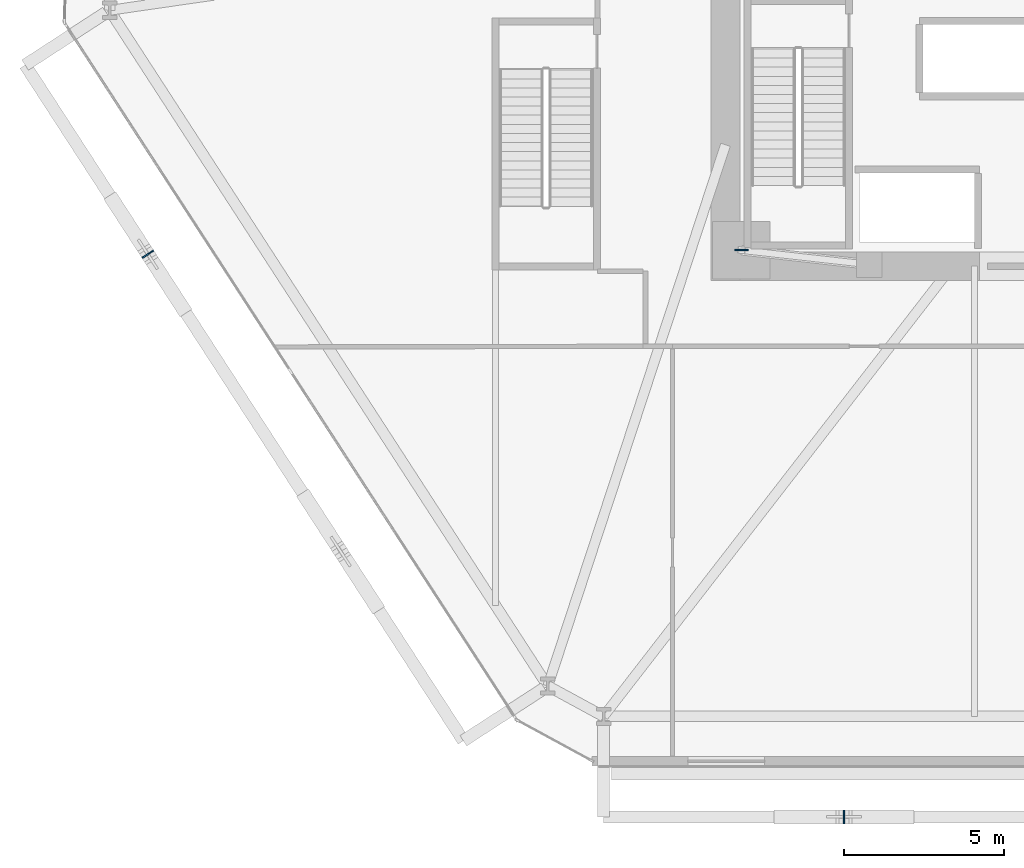
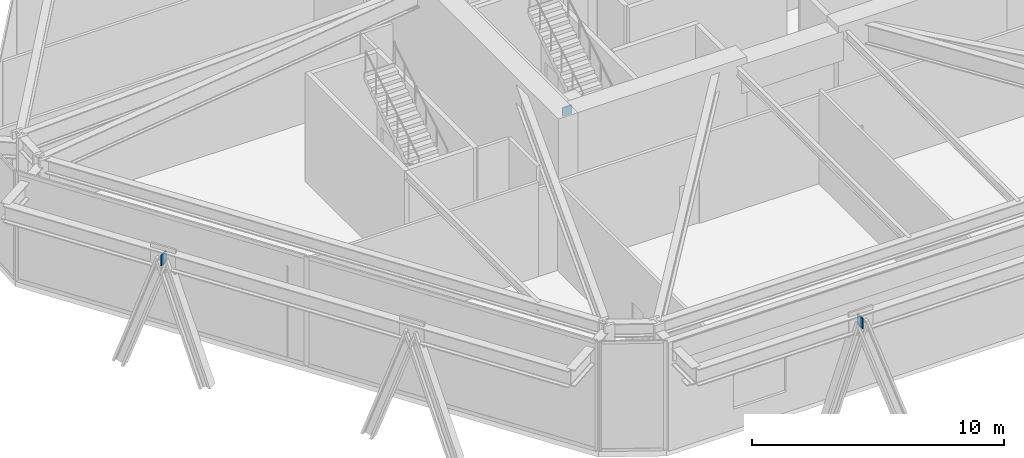
# One storey, part 13 of 23: 3 plates.
"""IFC4 building model written with IfcOpenShell, lengths in metres."""

import ifcopenshell
import ifcopenshell.guid

model = None  # the IFC model being written
_history = None  # IfcOwnerHistory: only IFC2X3 demands one
_inside = {}  # id of a spatial element -> (the spatial element, [elements in it])
_under = {}  # id of a project, library or spatial element -> (it, [spatial elements below it])
_declared = {}  # id of a project -> (the project, [libraries it declares])
_typed = {}  # id of a type object -> (the type object, [elements of that type])
_made_of = {}  # id of a material, layer set ... -> (it, [elements and type objects made of it])


def new_model(schema):
    """Start an empty IFC model of exactly this schema.

    Asked for "IFC4X3", IfcOpenShell would pick the latest addendum, in which some entities
    have other attributes; the version numbers below select the first issue.
    IFC2X3 requires an IfcOwnerHistory on every rooted entity: one is made here for all.
    """
    global model, _history
    if schema == "IFC4X3":
        model = ifcopenshell.file(schema_version=(4, 3, 0, 0))
    else:
        model = ifcopenshell.file(schema=schema)
    _inside.clear()
    _under.clear()
    _declared.clear()
    _typed.clear()
    _made_of.clear()
    _history = None
    if model.schema == "IFC2X3":
        org = make("IfcOrganization", Name="unknown")
        user = make(
            "IfcPersonAndOrganization",
            ThePerson=make("IfcPerson", FamilyName="unknown"),
            TheOrganization=org,
        )
        app = make(
            "IfcApplication",
            ApplicationDeveloper=org,
            Version="unknown",
            ApplicationFullName="unknown",
            ApplicationIdentifier="unknown",
        )
        _history = make(
            "IfcOwnerHistory",
            OwningUser=user,
            OwningApplication=app,
            ChangeAction="ADDED",
            CreationDate=0,
        )
    return model


def make(cls, **values):
    """One entity of the class cls with the attributes given. An attribute that is None is left unset."""
    return model.create_entity(
        cls, **{name: value for name, value in values.items() if value is not None}
    )


def rooted(cls, **values):
    """An entity with a GlobalId (a new one), such as an element, a storey or a relation."""
    return make(cls, GlobalId=ifcopenshell.guid.new(), OwnerHistory=_history, **values)


def si_unit(unit_type, name, prefix=None):
    """IfcSIUnit, for example si_unit("LENGTHUNIT", "METRE", prefix="MILLI")."""
    return make("IfcSIUnit", UnitType=unit_type, Prefix=prefix, Name=name)


def assignment(units):
    """IfcUnitAssignment: the units of a project."""
    return None if units is None else make("IfcUnitAssignment", Units=units)


def point(xyz):
    """IfcCartesianPoint."""
    return None if xyz is None else make("IfcCartesianPoint", Coordinates=xyz)


def direction(xyz):
    """IfcDirection."""
    return None if xyz is None else make("IfcDirection", DirectionRatios=xyz)


def frame(location, z_axis=None, x_axis=None):
    """IfcAxis2Placement3D, a coordinate frame: its origin and axes. An axis left out is left unset."""
    return make(
        "IfcAxis2Placement3D",
        Location=point(location),
        Axis=direction(z_axis),
        RefDirection=direction(x_axis),
    )


def frame_2d(location, x_axis=None):
    """IfcAxis2Placement2D, a coordinate frame in the plane: its origin and x axis."""
    return make(
        "IfcAxis2Placement2D", Location=point(location), RefDirection=direction(x_axis)
    )


def origin():
    """The frame at (0, 0, 0) with its axes left unset."""
    return frame((0.0, 0.0, 0.0))


def origin_2d():
    """The frame at (0, 0) in the plane with its x axis left unset."""
    return frame_2d((0.0, 0.0))


def place(relative_to, where):
    """IfcLocalPlacement: puts the frame where relative to a parent placement (None: the world)."""
    return make(
        "IfcLocalPlacement", PlacementRelTo=relative_to, RelativePlacement=where
    )


def context(
    kind, dimensions, precision=None, world=None, true_north=None, identifier=None
):
    """IfcGeometricRepresentationContext, for example the 3D "Model" context."""
    return make(
        "IfcGeometricRepresentationContext",
        ContextIdentifier=identifier,
        ContextType=kind,
        CoordinateSpaceDimension=dimensions,
        Precision=precision,
        WorldCoordinateSystem=world,
        TrueNorth=true_north,
    )


def subcontext(parent, identifier, kind, view, scale=None):
    """IfcGeometricRepresentationSubContext, for example "Body" below "Model"."""
    return make(
        "IfcGeometricRepresentationSubContext",
        ContextIdentifier=identifier,
        ContextType=kind,
        ParentContext=parent,
        TargetScale=scale,
        TargetView=view,
    )


def project(units=None, contexts=None):
    """IfcProject with its units and contexts."""
    return rooted(
        "IfcProject",
        Name="project",
        RepresentationContexts=contexts,
        UnitsInContext=assignment(units),
    )


def spatial(cls, under=None, at=None, **own):
    """A site, building, storey or space (cls), placed at a placement, below another one or the project."""
    s = rooted(cls, ObjectPlacement=at, **own)
    if under is not None:
        _under.setdefault(under.id(), (under, []))[1].append(s)
    return s


def profile(cls, at=None, kind="AREA", **sizes):
    """A parametric profile (cls). Its sizes go by their IFC names, for example OverallWidth=200.0."""
    return make(cls, ProfileType=kind, Position=at, **sizes)


def rectangle(**sizes):
    """IfcRectangleProfileDef."""
    return profile("IfcRectangleProfileDef", **sizes)


def extrude(swept, where, along, depth):
    """IfcExtrudedAreaSolid: the profile swept, set in the frame where, extruded along a direction by depth."""
    return make(
        "IfcExtrudedAreaSolid",
        SweptArea=swept,
        Position=where,
        ExtrudedDirection=direction(along),
        Depth=depth,
    )


def shape(context_of_items, identifier, shape_type, items):
    """IfcShapeRepresentation: the items that make up one representation, for example the "Body"."""
    return make(
        "IfcShapeRepresentation",
        ContextOfItems=context_of_items,
        RepresentationIdentifier=identifier,
        RepresentationType=shape_type,
        Items=items,
    )


def source(mapping_origin, context_of_items, identifier, shape_type, items):
    """IfcRepresentationMap: a shape defined once, which mapped items show again and again."""
    return make(
        "IfcRepresentationMap",
        MappingOrigin=mapping_origin,
        MappedRepresentation=shape(context_of_items, identifier, shape_type, items),
    )


def transform(
    local_origin,
    x_axis=None,
    y_axis=None,
    z_axis=None,
    scale=None,
    scale2=None,
    scale3=None,
    uniform=True,
):
    """IfcCartesianTransformationOperator3D, or its non-uniform kind. x_axis, y_axis, z_axis: its Axis1, 2, 3."""
    if uniform:
        return make(
            "IfcCartesianTransformationOperator3D",
            Axis1=direction(x_axis),
            Axis2=direction(y_axis),
            LocalOrigin=point(local_origin),
            Scale=scale,
            Axis3=direction(z_axis),
        )
    return make(
        "IfcCartesianTransformationOperator3DnonUniform",
        Axis1=direction(x_axis),
        Axis2=direction(y_axis),
        LocalOrigin=point(local_origin),
        Scale=scale,
        Axis3=direction(z_axis),
        Scale2=scale2,
        Scale3=scale3,
    )


def mapped(mapping_source, mapping_target):
    """IfcMappedItem: shows the shape of a source again, moved by a transform."""
    return make(
        "IfcMappedItem", MappingSource=mapping_source, MappingTarget=mapping_target
    )


def material(Name=None, Category=None):
    """IfcMaterial."""
    return make("IfcMaterial", Name=Name, Category=Category)


def layer(
    of_material, thickness, ventilated=None, Name=None, Category=None, Priority=None
):
    """IfcMaterialLayer: one layer of a wall or slab, of a material (None: an air gap)."""
    return make(
        "IfcMaterialLayer",
        Material=of_material,
        LayerThickness=thickness,
        IsVentilated=ventilated,
        Name=Name,
        Category=Category,
        Priority=Priority,
    )


def layer_set(layers, Name=None):
    """IfcMaterialLayerSet."""
    return make("IfcMaterialLayerSet", MaterialLayers=layers, LayerSetName=Name)


def made_of(thing, what):
    """Note that an element or type object is made of a material, layer set ...; save() writes the relation."""
    if what is not None:
        _made_of.setdefault(what.id(), (what, []))[1].append(thing)
    return thing


def type_object(cls, material=None, **own):
    """A type object (cls), such as IfcWallType, which elements share."""
    return made_of(rooted(cls, **own), material)


def type_shapes(of_type, sources):
    """Give a type object the sources (RepresentationMaps) that its elements show as mapped items."""
    of_type.RepresentationMaps = sources


def element(
    cls,
    number,
    at=None,
    inside=None,
    cuts=None,
    type_object=None,
    material=None,
    context=None,
    identifier="Body",
    shape_type=None,
    held_by="IfcProductDefinitionShape",
    body=None,
    shapes=None,
    **own,
):
    """One element of the class cls, such as IfcWall. Its Tag is "e" and its number.

    at: its placement. inside: the storey or other place that contains it. cuts: it is an
    opening in that element (IfcRelVoidsElement). A single representation is given by context,
    identifier, shape_type and body (its items); several are given by shapes. held_by: the class
    of the entity that holds the representations. save() writes the other relations.
    """
    e = rooted(cls, Tag="e%d" % number, ObjectPlacement=at, **own)
    if body is not None:
        shapes = [shape(context, identifier, shape_type, body)]
    if shapes is not None:
        e.Representation = make(held_by, Representations=shapes)
    if inside is not None:
        _inside.setdefault(inside.id(), (inside, []))[1].append(e)
    if cuts is not None:
        rooted(
            "IfcRelVoidsElement", RelatingBuildingElement=cuts, RelatedOpeningElement=e
        )
    if type_object is not None:
        _typed.setdefault(type_object.id(), (type_object, []))[1].append(e)
    return made_of(e, material)


def aggregate(whole, parts):
    """IfcRelAggregates: a whole, such as a stair, and the parts it consists of."""
    return rooted("IfcRelAggregates", RelatingObject=whole, RelatedObjects=parts)


def save(model, path):
    """Write the relations noted so far, then the file.

    IfcRelAggregates (storeys below a building ...), IfcRelContainedInSpatialStructure (elements
    in a storey), IfcRelDefinesByType, IfcRelAssociatesMaterial and IfcRelDeclares: one each for
    every whole, place, type object, material and project.
    """
    for whole, parts in _under.values():
        aggregate(whole, parts)
    for where, things in _inside.values():
        rooted(
            "IfcRelContainedInSpatialStructure",
            RelatedElements=things,
            RelatingStructure=where,
        )
    for kind, things in _typed.values():
        rooted("IfcRelDefinesByType", RelatedObjects=things, RelatingType=kind)
    for what, things in _made_of.values():
        rooted("IfcRelAssociatesMaterial", RelatedObjects=things, RelatingMaterial=what)
    for by, libraries in _declared.values():
        rooted("IfcRelDeclares", RelatingContext=by, RelatedDefinitions=libraries)
    model.write(path)


model = new_model("IFC4")

# Units and contexts
model_context = context("Model", 3, precision=1e-05, world=origin(), true_north=direction((0.0, 1.0)))
body_context = subcontext(model_context, "Body", "Model", "MODEL_VIEW")
ifc_project = project(units=[si_unit("LENGTHUNIT", "METRE"), si_unit("AREAUNIT", "SQUARE_METRE"), si_unit("VOLUMEUNIT", "CUBIC_METRE"), si_unit("PLANEANGLEUNIT", "RADIAN"), si_unit("MASSUNIT", "GRAM", prefix="KILO")], contexts=[model_context])

# Site, building, storey
site_placement = place(None, origin())
site = spatial("IfcSite", under=ifc_project, at=site_placement, CompositionType="ELEMENT")
building_placement = place(site_placement, origin())
building = spatial("IfcBuilding", under=site, at=building_placement, Name="Durnholm Broadcast Tower", CompositionType="ELEMENT")
storey_placement = place(building_placement, frame((0.0, 0.0, 21.199951171875)))
storey = spatial("IfcBuildingStorey", under=building, at=storey_placement, Name="L04", CompositionType="ELEMENT", Elevation=21.199951171875)

# Plates
ifc_material = material(Name="Steel ASTM A572 Grade 50", Category="steel")
ifc_layer = layer(ifc_material, 0.044921875)
ifc_layer_set = layer_set([ifc_layer], Name="Steel ASTM A572 Grade 50")
plate_type = type_object("IfcPlateType", Name="PLT-KN-STIF", PredefinedType="SHEET", material=ifc_layer_set)
shared_shape_1 = source(origin(), body_context, "Body", "SweptSolid", [
    extrude(rectangle(XDim=0.419921875, YDim=0.050048828125, at=origin_2d()), origin(), (0.0, 0.0, 1.0), 0.419921875),
])
plate_placement = place(storey_placement, frame((-9.800048828125, -7.800048828125, 4.901123046875), z_axis=(0.0, 0.0, 1.0), x_axis=(1.0, 0.0, 0.0)))
element("IfcPlate", 1, at=plate_placement, inside=storey, type_object=plate_type, Name="L04 gallery stringer brace core wall cast-in plate", ObjectType="GUSSET_PLATE", PredefinedType="USERDEFINED", context=body_context, shape_type="MappedRepresentation", body=[
    mapped(shared_shape_1, transform((0.0, 0.0, 0.0), x_axis=(1.0, 0.0, 0.0), y_axis=(0.0, 1.0, 0.0), z_axis=(0.0, 0.0, 1.0), scale=1.0)),
])
shared_shape_2 = source(origin(), body_context, "Body", "SweptSolid", [
    extrude(rectangle(XDim=0.044921875, YDim=0.419921875, at=origin_2d()), origin(), (0.0, 0.0, 1.0), 0.52001953125),
])
type_shapes(plate_type, [shared_shape_1, shared_shape_2])
for number, where, z_axis, x_axis, name in (
    (2, (-6.58984375, -25.550048828125, 4.2685546875), (0.0, 0.0, 1.0), (1.0, 0.0, 0.0), "L04 welded diagrid node stiffener plate F1"),
    (3, (-28.390625, -7.927978515625, 4.2685546875), (0.0, 0.0, 1.0), (0.544053399827, -0.839050593311, 0.0), "L04 welded diagrid node stiffener plate F6"),
):
    element("IfcPlate", number, at=place(storey_placement, frame(where, z_axis=z_axis, x_axis=x_axis)), inside=storey, type_object=plate_type, Name=name, PredefinedType="SHEET", context=body_context, shape_type="MappedRepresentation", body=[
        mapped(shared_shape_2, transform((0.0, 0.0, 0.0), x_axis=(1.0, 0.0, 0.0), y_axis=(0.0, 1.0, 0.0), z_axis=(0.0, 0.0, 1.0), scale=1.0)),
    ])

save(model, "model.ifc")
